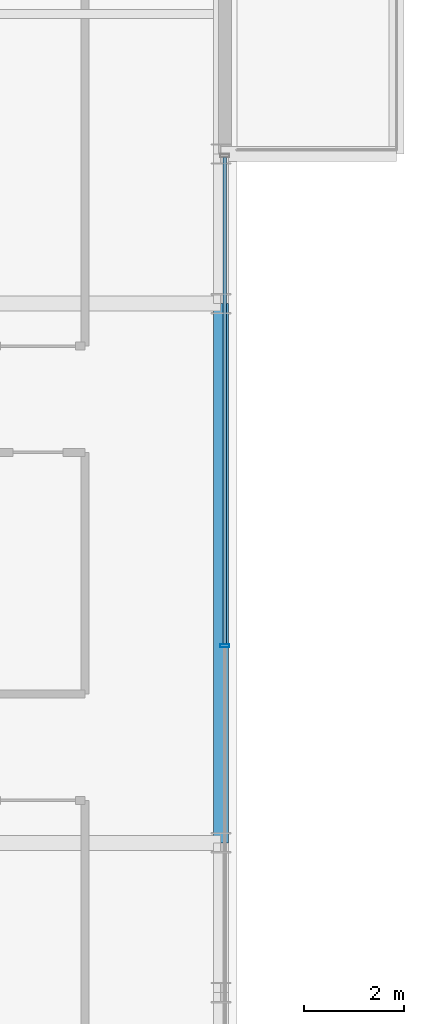
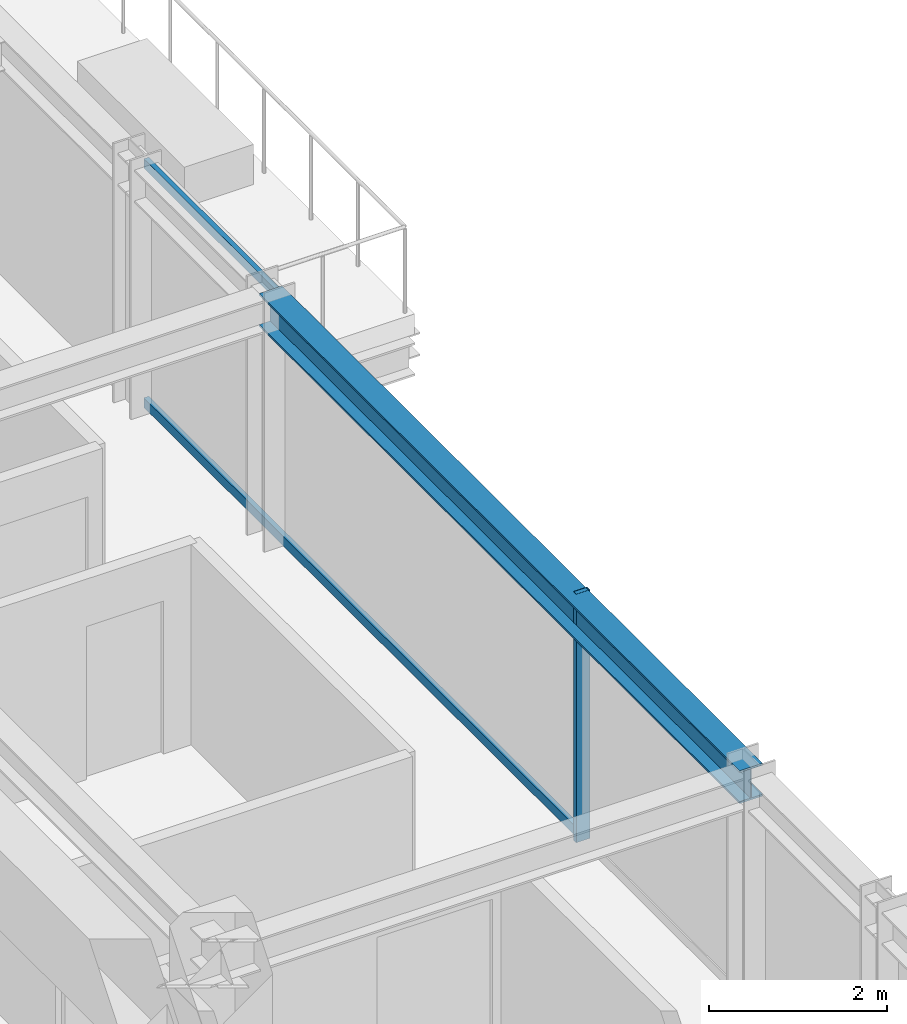
# One storey, part 17 of 36: 3 members, 1 beam, 1 element without a shape of its own.
"""IFC4 building model written with IfcOpenShell, lengths in metres."""

from ifc_helpers import new_model, si_unit, direction, frame, origin, origin_2d, place, context, subcontext, project, spatial, hollow_rectangle, i_section, extrude, source, transform, mapped, material, material_profile, profile_set, type_object, element, aggregate, save


model = new_model("IFC4")

# Units and contexts
model_context = context("Model", 3, precision=1e-05, world=origin(), true_north=direction((0.0, 1.0)))
body_context = subcontext(model_context, "Body", "Model", "MODEL_VIEW")
ifc_project = project(units=[si_unit("LENGTHUNIT", "METRE"), si_unit("AREAUNIT", "SQUARE_METRE"), si_unit("VOLUMEUNIT", "CUBIC_METRE"), si_unit("PLANEANGLEUNIT", "RADIAN"), si_unit("MASSUNIT", "GRAM", prefix="KILO")], contexts=[model_context])

# Site, building, storey
site_placement = place(None, origin())
site = spatial("IfcSite", under=ifc_project, at=site_placement, CompositionType="ELEMENT")
building_placement = place(site_placement, origin())
building = spatial("IfcBuilding", under=site, at=building_placement, Name="Nahalor Promenade Grand Hotel", CompositionType="ELEMENT")
storey_placement = place(building_placement, frame((0.0, 0.0, 253.0)))
storey = spatial("IfcBuildingStorey", under=building, at=storey_placement, Name="L65", CompositionType="ELEMENT", Elevation=253.0)

# Beam
ifc_material_1 = material(Name="Steel S355JR", Category="steel")
ifc_material_profile_1 = material_profile(ifc_material_1, i_section(OverallWidth=0.3, OverallDepth=0.45, WebThickness=0.014, FlangeThickness=0.026, at=origin_2d()), Name="HEB 450")
ifc_profile_set_1 = profile_set([ifc_material_profile_1], Name="Steel S355JR")
beam_type = type_object("IfcBeamType", Name="Beam-Spandrel-HEB450", PredefinedType="SPANDREL", material=ifc_profile_set_1)
shared_shape_1 = source(origin(), body_context, "Body", "SweptSolid", [
    extrude(i_section(OverallWidth=0.3, OverallDepth=0.45, WebThickness=0.014, FlangeThickness=0.026, at=origin_2d()), origin(), (0.0, 0.0, 1.0), 10.7998046875),
])
beam_placement = place(storey_placement, frame((23.8798828125, -5.39990234375, 3.18505859375), z_axis=(0.0, 1.0, 0.0), x_axis=(-1.0, 0.0, 0.0)))
element("IfcBeam", 1, at=beam_placement, inside=storey, type_object=beam_type, Name="BM-L65-SP-E-2", PredefinedType="SPANDREL", context=body_context, shape_type="MappedRepresentation", body=[
    mapped(shared_shape_1, transform((0.0, 0.0, 0.0), scale=1.0)),
])

# Curtain wall, members
ifc_material_2 = material(Name="Anodised Bronze Aluminium EN AW-6063 T6", Category="aluminium")
curtain_wall_type = type_object("IfcCurtainWallType", Name="CW2 Typical Hotel Flush Bronze Unitised Curtain Wall", PredefinedType="USERDEFINED", material=ifc_material_2)
curtain_wall_placement = place(storey_placement, origin())
curtain_wall = element("IfcCurtainWall", 2, at=curtain_wall_placement, inside=storey, type_object=curtain_wall_type, Name="L65 Curtain Wall CW-L65-E-1", ObjectType="UNITISED_CURTAIN_WALL", PredefinedType="USERDEFINED")
ifc_material_profile_2 = material_profile(ifc_material_2, hollow_rectangle(XDim=0.065, YDim=0.13, WallThickness=0.004, at=origin_2d()), Name="CWT 65x130x4")
ifc_profile_set_2 = profile_set([ifc_material_profile_2], Name="Anodised Bronze Aluminium EN AW-6063 T6")
member_type_1 = type_object("IfcMemberType", Name="CWT2 Typical Bronze Transom 65x130", PredefinedType="USERDEFINED", material=ifc_profile_set_2)
shared_shape_2 = source(origin(), body_context, "Body", "SweptSolid", [
    extrude(hollow_rectangle(XDim=0.065, YDim=0.13, WallThickness=0.004, at=origin_2d()), origin(), (0.0, 0.0, 1.0), 9.755859375),
])
member_1_placement = place(storey_placement, frame((23.9599609375, -1.4208984375, 0.06494140625), z_axis=(0.0, 1.0, 0.0), x_axis=(-1.0, 0.0, 0.0)))
member_1 = element("IfcMember", 3, at=member_1_placement, type_object=member_type_1, Name="CW-L65-E-1 Transom 2-0", ObjectType="TRANSOM", PredefinedType="USERDEFINED", context=body_context, shape_type="MappedRepresentation", body=[
    mapped(shared_shape_2, transform((0.0, 0.0, 0.0), scale=1.0)),
])
member_2_placement = place(storey_placement, frame((23.9599609375, -1.4208984375, 3.344970703125), z_axis=(0.0, 1.0, 0.0), x_axis=(-1.0, 0.0, 0.0)))
member_2 = element("IfcMember", 4, at=member_2_placement, type_object=member_type_1, Name="CW-L65-E-1 Transom 2-1", ObjectType="TRANSOM", PredefinedType="USERDEFINED", context=body_context, shape_type="MappedRepresentation", body=[
    mapped(shared_shape_2, transform((0.0, 0.0, 0.0), scale=1.0)),
])
ifc_material_profile_3 = material_profile(ifc_material_2, hollow_rectangle(XDim=0.065, YDim=0.18, WallThickness=0.004, at=origin_2d()), Name="CWM 65x180x4")
ifc_profile_set_3 = profile_set([ifc_material_profile_3], Name="Anodised Bronze Aluminium EN AW-6063 T6")
member_type_2 = type_object("IfcMemberType", Name="CWM2 Typical Bronze Mullion 65x180", PredefinedType="MULLION", material=ifc_profile_set_3)
shared_shape_3 = source(origin(), body_context, "Body", "SweptSolid", [
    extrude(hollow_rectangle(XDim=0.065, YDim=0.18, WallThickness=0.004, at=origin_2d()), origin(), (0.0, 0.0, 1.0), 3.409912109375),
])
member_3_placement = place(storey_placement, frame((23.9599609375, -1.453369140625, 0.0), z_axis=(0.0, 0.0, 1.0), x_axis=(0.0, 1.0, 0.0)))
member_3 = element("IfcMember", 5, at=member_3_placement, type_object=member_type_2, Name="CW-L65-E-1 Mullion 2", PredefinedType="MULLION", context=body_context, shape_type="MappedRepresentation", body=[
    mapped(shared_shape_3, transform((0.0, 0.0, 0.0), scale=1.0)),
])
aggregate(curtain_wall, [member_3, member_1, member_2])

save(model, "model.ifc")
